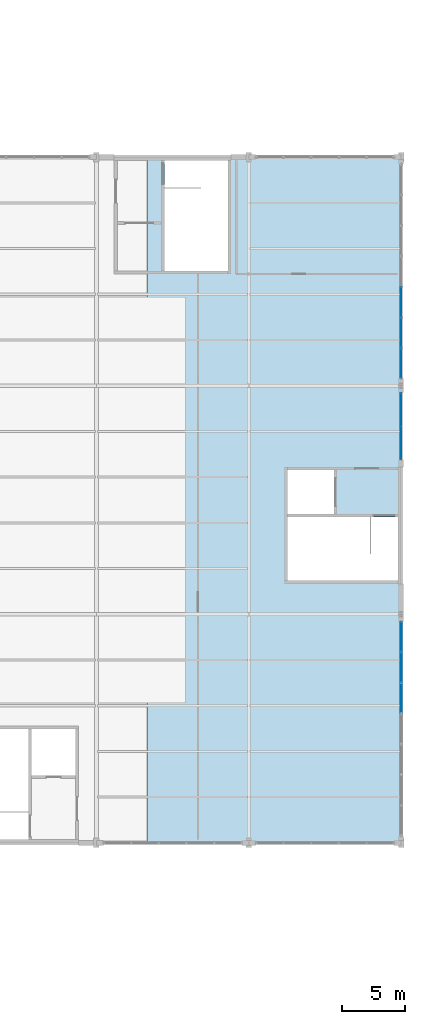
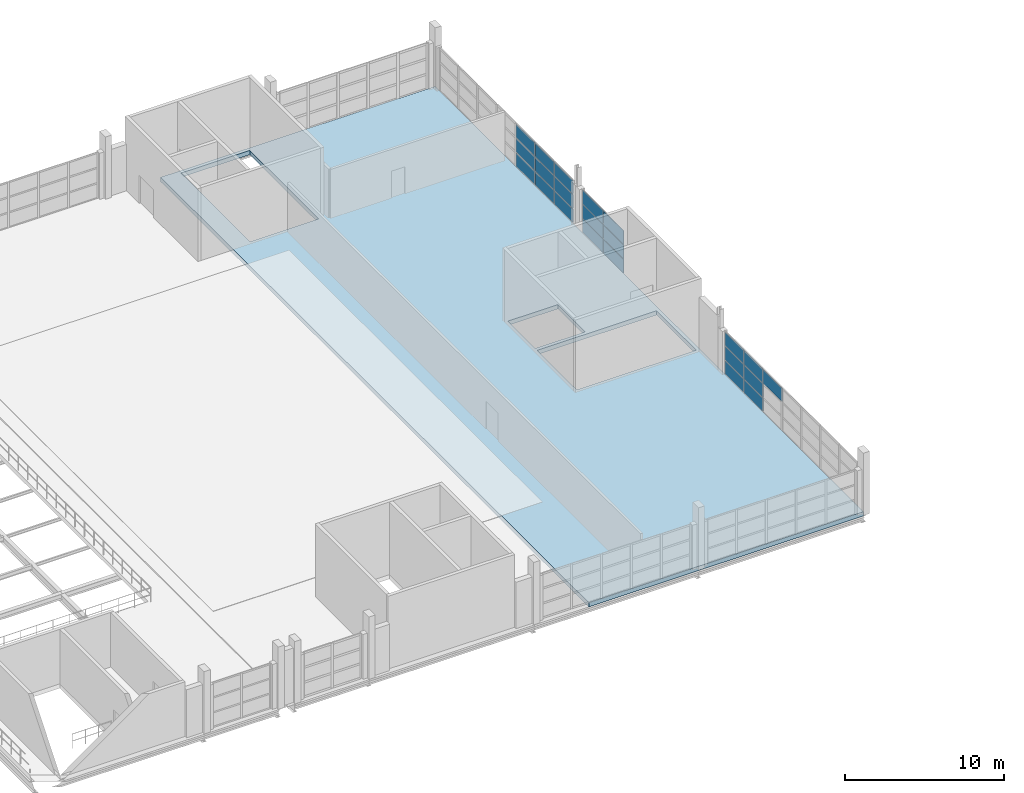
# One storey, part 73 of 86: 22 plates, 1 slab, 3 elements without a shape of their own.
"""IFC4 building model written with IfcOpenShell, lengths in metres."""

from ifc_helpers import new_model, si_unit, direction, frame, origin, origin_2d, place, context, subcontext, project, spatial, polyline, rectangle, outline, extrude, material, layer, layer_set, type_object, element, aggregate, save


model = new_model("IFC4")

# Units and contexts
model_context = context("Model", 3, precision=1e-05, world=origin(), true_north=direction((0.0, 1.0)))
body_context = subcontext(model_context, "Body", "Model", "MODEL_VIEW")
ifc_project = project(units=[si_unit("LENGTHUNIT", "METRE"), si_unit("AREAUNIT", "SQUARE_METRE"), si_unit("VOLUMEUNIT", "CUBIC_METRE"), si_unit("PLANEANGLEUNIT", "RADIAN"), si_unit("MASSUNIT", "GRAM", prefix="KILO")], contexts=[model_context])

# Site, building, storey
site_placement = place(None, origin())
site = spatial("IfcSite", under=ifc_project, at=site_placement, CompositionType="ELEMENT")
building_placement = place(site_placement, origin())
building = spatial("IfcBuilding", under=site, at=building_placement, Name="Zilviju Railside Exhibition Hall", CompositionType="ELEMENT")
storey_placement = place(building_placement, frame((0.0, 0.0, 12.60009765625)))
storey = spatial("IfcBuildingStorey", under=building, at=storey_placement, Name="L04", CompositionType="ELEMENT", Elevation=12.60009765625)

# Curtain wall, plates
ifc_material_1 = material(Name="Thermally broken aluminium-steel triple-glazed curtain wall", Category="steel")
ifc_layer_1 = layer(ifc_material_1, 0.179931640625)
ifc_layer_set_1 = layer_set([ifc_layer_1], Name="Thermally broken aluminium-steel triple-glazed curtain wall")
curtain_wall_type_1 = type_object("IfcCurtainWallType", Name="CW-BAY-14", PredefinedType="USERDEFINED", material=ifc_layer_set_1)
curtain_wall_1_placement = place(storey_placement, origin())
curtain_wall_1 = element("IfcCurtainWall", 1, at=curtain_wall_1_placement, inside=storey, type_object=curtain_wall_type_1, Name="North Hall East Glazed Gable L04 (114..120)", ObjectType="GLAZED CURTAIN WALL", PredefinedType="USERDEFINED")
ifc_material_2 = material(Name="Triple-glazed low-E argon insulating glass unit", Category="glass")
ifc_layer_2 = layer(ifc_material_2, 0.0439453125)
ifc_layer_set_2 = layer_set([ifc_layer_2], Name="Triple-glazed low-E argon insulating glass unit")
plate_type_1 = type_object("IfcPlateType", Name="CWP-IGU-44", PredefinedType="CURTAIN_PANEL", material=ifc_layer_set_2)
plate_1_placement = place(storey_placement, frame((216.0, 118.111328125, 0.05517578125), z_axis=(0.0, 0.0, 1.0), x_axis=(0.0, -1.0, 0.0)))
plate_1 = element("IfcPlate", 2, at=plate_1_placement, type_object=plate_type_1, Name="CW-14 panel 1.1", PredefinedType="CURTAIN_PANEL", context=body_context, shape_type="SweptSolid", body=[
    extrude(rectangle(XDim=2.5673828125, YDim=0.0439453125, at=origin_2d()), origin(), (0.0, 0.0, 1.0), 1.034423828125),
])
plate_2_placement = place(storey_placement, frame((216.0, 118.111328125, 1.144287109375), z_axis=(0.0, 0.0, 1.0), x_axis=(0.0, -1.0, 0.0)))
plate_2 = element("IfcPlate", 3, at=plate_2_placement, type_object=plate_type_1, Name="CW-14 panel 1.2", PredefinedType="CURTAIN_PANEL", context=body_context, shape_type="SweptSolid", body=[
    extrude(rectangle(XDim=2.5673828125, YDim=0.0439453125, at=origin_2d()), origin(), (0.0, 0.0, 1.0), 1.06103515625),
])
plate_3_placement = place(storey_placement, frame((216.0, 118.111328125, 2.26025390625), z_axis=(0.0, 0.0, 1.0), x_axis=(0.0, -1.0, 0.0)))
plate_3 = element("IfcPlate", 4, at=plate_3_placement, type_object=plate_type_1, Name="CW-14 panel 1.3", PredefinedType="CURTAIN_PANEL", context=body_context, shape_type="SweptSolid", body=[
    extrude(rectangle(XDim=2.5673828125, YDim=0.0439453125, at=origin_2d()), origin(), (0.0, 0.0, 1.0), 1.034423828125),
])
plate_4_placement = place(storey_placement, frame((216.0, 115.48876953125, 0.05517578125), z_axis=(0.0, 0.0, 1.0), x_axis=(0.0, -1.0, 0.0)))
plate_4 = element("IfcPlate", 5, at=plate_4_placement, type_object=plate_type_1, Name="CW-14 panel 2.1", PredefinedType="CURTAIN_PANEL", context=body_context, shape_type="SweptSolid", body=[
    extrude(rectangle(XDim=2.5673828125, YDim=0.0439453125, at=origin_2d()), origin(), (0.0, 0.0, 1.0), 1.034423828125),
])
plate_5_placement = place(storey_placement, frame((216.0, 115.48876953125, 1.144287109375), z_axis=(0.0, 0.0, 1.0), x_axis=(0.0, -1.0, 0.0)))
plate_5 = element("IfcPlate", 6, at=plate_5_placement, type_object=plate_type_1, Name="CW-14 panel 2.2", PredefinedType="CURTAIN_PANEL", context=body_context, shape_type="SweptSolid", body=[
    extrude(rectangle(XDim=2.5673828125, YDim=0.0439453125, at=origin_2d()), origin(), (0.0, 0.0, 1.0), 1.06103515625),
])
plate_6_placement = place(storey_placement, frame((216.0, 115.48876953125, 2.26025390625), z_axis=(0.0, 0.0, 1.0), x_axis=(0.0, -1.0, 0.0)))
plate_6 = element("IfcPlate", 7, at=plate_6_placement, type_object=plate_type_1, Name="CW-14 panel 2.3", PredefinedType="CURTAIN_PANEL", context=body_context, shape_type="SweptSolid", body=[
    extrude(rectangle(XDim=2.5673828125, YDim=0.0439453125, at=origin_2d()), origin(), (0.0, 0.0, 1.0), 1.034423828125),
])
aggregate(curtain_wall_1, [plate_1, plate_2, plate_3, plate_4, plate_5, plate_6])

ifc_layer_3 = layer(ifc_material_1, 0.179931640625)
ifc_layer_set_3 = layer_set([ifc_layer_3], Name="Thermally broken aluminium-steel triple-glazed curtain wall")
curtain_wall_type_2 = type_object("IfcCurtainWallType", Name="CW-BAY-15", PredefinedType="USERDEFINED", material=ifc_layer_set_3)
curtain_wall_2_placement = place(storey_placement, origin())
curtain_wall_2 = element("IfcCurtainWall", 8, at=curtain_wall_2_placement, inside=storey, type_object=curtain_wall_type_2, Name="North Hall East Glazed Gable L04 (120..138)", ObjectType="GLAZED CURTAIN WALL", PredefinedType="USERDEFINED")
plate_7_placement = place(storey_placement, frame((216.0, 126.585693359375, 0.06982421875), z_axis=(0.0, 0.0, 1.0), x_axis=(0.0, -1.0, 0.0)))
plate_7 = element("IfcPlate", 9, at=plate_7_placement, type_object=plate_type_1, Name="CW-15 panel 5.1", PredefinedType="CURTAIN_PANEL", context=body_context, shape_type="SweptSolid", body=[
    extrude(rectangle(XDim=2.34423828125, YDim=0.0439453125, at=origin_2d()), origin(), (0.0, 0.0, 1.0), 1.011962890625),
])
plate_8_placement = place(storey_placement, frame((216.0, 126.585693359375, 1.15185546875), z_axis=(0.0, 0.0, 1.0), x_axis=(0.0, -1.0, 0.0)))
plate_8 = element("IfcPlate", 10, at=plate_8_placement, type_object=plate_type_1, Name="CW-15 panel 5.2", PredefinedType="CURTAIN_PANEL", context=body_context, shape_type="SweptSolid", body=[
    extrude(rectangle(XDim=2.34423828125, YDim=0.0439453125, at=origin_2d()), origin(), (0.0, 0.0, 1.0), 1.0458984375),
])
plate_9_placement = place(storey_placement, frame((216.0, 126.585693359375, 2.26806640625), z_axis=(0.0, 0.0, 1.0), x_axis=(0.0, -1.0, 0.0)))
plate_9 = element("IfcPlate", 11, at=plate_9_placement, type_object=plate_type_1, Name="CW-15 panel 5.3", PredefinedType="CURTAIN_PANEL", context=body_context, shape_type="SweptSolid", body=[
    extrude(rectangle(XDim=2.34423828125, YDim=0.0439453125, at=origin_2d()), origin(), (0.0, 0.0, 1.0), 1.011962890625),
])
plate_10_placement = place(storey_placement, frame((216.0, 124.17138671875, 0.06982421875), z_axis=(0.0, 0.0, 1.0), x_axis=(0.0, -1.0, 0.0)))
plate_10 = element("IfcPlate", 12, at=plate_10_placement, type_object=plate_type_1, Name="CW-15 panel 6.1", PredefinedType="CURTAIN_PANEL", context=body_context, shape_type="SweptSolid", body=[
    extrude(rectangle(XDim=2.34423828125, YDim=0.0439453125, at=origin_2d()), origin(), (0.0, 0.0, 1.0), 1.011962890625),
])
plate_11_placement = place(storey_placement, frame((216.0, 124.17138671875, 1.15185546875), z_axis=(0.0, 0.0, 1.0), x_axis=(0.0, -1.0, 0.0)))
plate_11 = element("IfcPlate", 13, at=plate_11_placement, type_object=plate_type_1, Name="CW-15 panel 6.2", PredefinedType="CURTAIN_PANEL", context=body_context, shape_type="SweptSolid", body=[
    extrude(rectangle(XDim=2.34423828125, YDim=0.0439453125, at=origin_2d()), origin(), (0.0, 0.0, 1.0), 1.0458984375),
])
plate_12_placement = place(storey_placement, frame((216.0, 124.17138671875, 2.26806640625), z_axis=(0.0, 0.0, 1.0), x_axis=(0.0, -1.0, 0.0)))
plate_12 = element("IfcPlate", 14, at=plate_12_placement, type_object=plate_type_1, Name="CW-15 panel 6.3", PredefinedType="CURTAIN_PANEL", context=body_context, shape_type="SweptSolid", body=[
    extrude(rectangle(XDim=2.34423828125, YDim=0.0439453125, at=origin_2d()), origin(), (0.0, 0.0, 1.0), 1.011962890625),
])
plate_13_placement = place(storey_placement, frame((216.0, 121.774658203125, 0.06982421875), z_axis=(0.0, 0.0, 1.0), x_axis=(0.0, -1.0, 0.0)))
plate_13 = element("IfcPlate", 15, at=plate_13_placement, type_object=plate_type_1, Name="CW-15 panel 7.1", PredefinedType="CURTAIN_PANEL", context=body_context, shape_type="SweptSolid", body=[
    extrude(rectangle(XDim=2.309326171875, YDim=0.0439453125, at=origin_2d()), origin(), (0.0, 0.0, 1.0), 1.011962890625),
])
plate_14_placement = place(storey_placement, frame((216.0, 121.774658203125, 1.15185546875), z_axis=(0.0, 0.0, 1.0), x_axis=(0.0, -1.0, 0.0)))
plate_14 = element("IfcPlate", 16, at=plate_14_placement, type_object=plate_type_1, Name="CW-15 panel 7.2", PredefinedType="CURTAIN_PANEL", context=body_context, shape_type="SweptSolid", body=[
    extrude(rectangle(XDim=2.309326171875, YDim=0.0439453125, at=origin_2d()), origin(), (0.0, 0.0, 1.0), 1.0458984375),
])
plate_15_placement = place(storey_placement, frame((216.0, 121.774658203125, 2.26806640625), z_axis=(0.0, 0.0, 1.0), x_axis=(0.0, -1.0, 0.0)))
plate_15 = element("IfcPlate", 17, at=plate_15_placement, type_object=plate_type_1, Name="CW-15 panel 7.3", PredefinedType="CURTAIN_PANEL", context=body_context, shape_type="SweptSolid", body=[
    extrude(rectangle(XDim=2.309326171875, YDim=0.0439453125, at=origin_2d()), origin(), (0.0, 0.0, 1.0), 1.011962890625),
])
aggregate(curtain_wall_2, [plate_7, plate_8, plate_9, plate_10, plate_11, plate_12, plate_13, plate_14, plate_15])

ifc_layer_4 = layer(ifc_material_1, 0.179931640625)
ifc_layer_set_4 = layer_set([ifc_layer_4], Name="Thermally broken aluminium-steel triple-glazed curtain wall")
curtain_wall_type_3 = type_object("IfcCurtainWallType", Name="CW-BAY-13", PredefinedType="USERDEFINED", material=ifc_layer_set_4)
curtain_wall_3_placement = place(storey_placement, origin())
curtain_wall_3 = element("IfcCurtainWall", 18, at=curtain_wall_3_placement, inside=storey, type_object=curtain_wall_type_3, Name="North Hall East Glazed Gable L04 (84..102)", ObjectType="GLAZED CURTAIN WALL", PredefinedType="USERDEFINED")
ifc_material_3 = material(Name="Insulated emerald ceramic-frit spandrel panel", Category="glass")
ifc_layer_5 = layer(ifc_material_3, 0.06396484375)
ifc_layer_set_5 = layer_set([ifc_layer_5], Name="Insulated emerald ceramic-frit spandrel panel")
plate_type_2 = type_object("IfcPlateType", Name="CWP-SPD-64", PredefinedType="CURTAIN_PANEL", material=ifc_layer_set_5)
plate_16_placement = place(storey_placement, frame((216.0, 100.22412109375, 0.074951171875), z_axis=(0.0, 0.0, 1.0), x_axis=(0.0, -1.0, 0.0)))
plate_16 = element("IfcPlate", 19, at=plate_16_placement, type_object=plate_type_2, Name="CW-13 panel 1.1", PredefinedType="CURTAIN_PANEL", context=body_context, shape_type="SweptSolid", body=[
    extrude(rectangle(XDim=2.3017578125, YDim=0.06396484375, at=origin_2d()), origin(), (0.0, 0.0, 1.0), 1.00439453125),
])
plate_17_placement = place(storey_placement, frame((216.0, 100.22412109375, 1.154296875), z_axis=(0.0, 0.0, 1.0), x_axis=(0.0, -1.0, 0.0)))
plate_17 = element("IfcPlate", 20, at=plate_17_placement, type_object=plate_type_2, Name="CW-13 panel 1.2", PredefinedType="CURTAIN_PANEL", context=body_context, shape_type="SweptSolid", body=[
    extrude(rectangle(XDim=2.3017578125, YDim=0.06396484375, at=origin_2d()), origin(), (0.0, 0.0, 1.0), 1.041015625),
])
plate_18_placement = place(storey_placement, frame((216.0, 100.22412109375, 2.2705078125), z_axis=(0.0, 0.0, 1.0), x_axis=(0.0, -1.0, 0.0)))
plate_18 = element("IfcPlate", 21, at=plate_18_placement, type_object=plate_type_2, Name="CW-13 panel 1.3", PredefinedType="CURTAIN_PANEL", context=body_context, shape_type="SweptSolid", body=[
    extrude(rectangle(XDim=2.3017578125, YDim=0.06396484375, at=origin_2d()), origin(), (0.0, 0.0, 1.0), 1.00439453125),
])
plate_19_placement = place(storey_placement, frame((216.0, 97.82861328125, 0.074951171875), z_axis=(0.0, 0.0, 1.0), x_axis=(0.0, -1.0, 0.0)))
plate_19 = element("IfcPlate", 22, at=plate_19_placement, type_object=plate_type_2, Name="CW-13 panel 2.1", PredefinedType="CURTAIN_PANEL", context=body_context, shape_type="SweptSolid", body=[
    extrude(rectangle(XDim=2.33935546875, YDim=0.06396484375, at=origin_2d()), origin(), (0.0, 0.0, 1.0), 1.00439453125),
])
plate_20_placement = place(storey_placement, frame((216.0, 97.82861328125, 1.154296875), z_axis=(0.0, 0.0, 1.0), x_axis=(0.0, -1.0, 0.0)))
plate_20 = element("IfcPlate", 23, at=plate_20_placement, type_object=plate_type_2, Name="CW-13 panel 2.2", PredefinedType="CURTAIN_PANEL", context=body_context, shape_type="SweptSolid", body=[
    extrude(rectangle(XDim=2.33935546875, YDim=0.06396484375, at=origin_2d()), origin(), (0.0, 0.0, 1.0), 1.041015625),
])
plate_21_placement = place(storey_placement, frame((216.0, 97.82861328125, 2.2705078125), z_axis=(0.0, 0.0, 1.0), x_axis=(0.0, -1.0, 0.0)))
plate_21 = element("IfcPlate", 24, at=plate_21_placement, type_object=plate_type_2, Name="CW-13 panel 2.3", PredefinedType="CURTAIN_PANEL", context=body_context, shape_type="SweptSolid", body=[
    extrude(rectangle(XDim=2.33935546875, YDim=0.06396484375, at=origin_2d()), origin(), (0.0, 0.0, 1.0), 1.00439453125),
])
plate_22_placement = place(storey_placement, frame((216.0, 95.414306640625, 2.2705078125), z_axis=(0.0, 0.0, 1.0), x_axis=(0.0, -1.0, 0.0)))
plate_22 = element("IfcPlate", 25, at=plate_22_placement, type_object=plate_type_2, Name="CW-13 panel 3.3", PredefinedType="CURTAIN_PANEL", context=body_context, shape_type="SweptSolid", body=[
    extrude(rectangle(XDim=2.33935546875, YDim=0.06396484375, at=origin_2d()), origin(), (0.0, 0.0, 1.0), 1.00439453125),
])
aggregate(curtain_wall_3, [plate_16, plate_17, plate_18, plate_19, plate_20, plate_21, plate_22])

# Slab
ifc_material_4 = material(Name="Concrete C35/45", Category="concrete")
ifc_layer_6 = layer(ifc_material_4, 0.330078125)
ifc_layer_set_6 = layer_set([ifc_layer_6], Name="Concrete C35/45")
slab_type = type_object("IfcSlabType", Name="SL-FLR-330", PredefinedType="FLOOR", material=ifc_layer_set_6)
slab_placement = place(storey_placement, frame((0.0, 0.0, -0.330078125)))
element("IfcSlab", 26, at=slab_placement, inside=storey, type_object=slab_type, Name="North Hall L04 Press Viewing Salon East", PredefinedType="FLOOR", context=body_context, shape_type="SweptSolid", body=[
    extrude(outline(polyline([(196.0, 84.0), (216.0, 84.0), (216.0, 138.0), (196.0, 138.0), (196.0, 84.0)]), holes=[polyline([(197.35009765625, 129.050048828125), (202.35009765625, 129.050048828125), (202.35009765625, 137.75), (197.35009765625, 137.75), (197.35009765625, 129.050048828125)]), polyline([(207.050048828125, 104.64990234375), (215.75, 104.64990234375), (215.75, 109.64990234375), (207.050048828125, 109.64990234375), (207.050048828125, 104.64990234375)]), polyline([(207.050048828125, 109.89990234375), (210.699951171875, 109.89990234375), (210.699951171875, 113.35009765625), (207.050048828125, 113.35009765625), (207.050048828125, 109.89990234375)])]), origin(), (0.0, 0.0, 1.0), 0.330078125),
])

save(model, "model.ifc")
